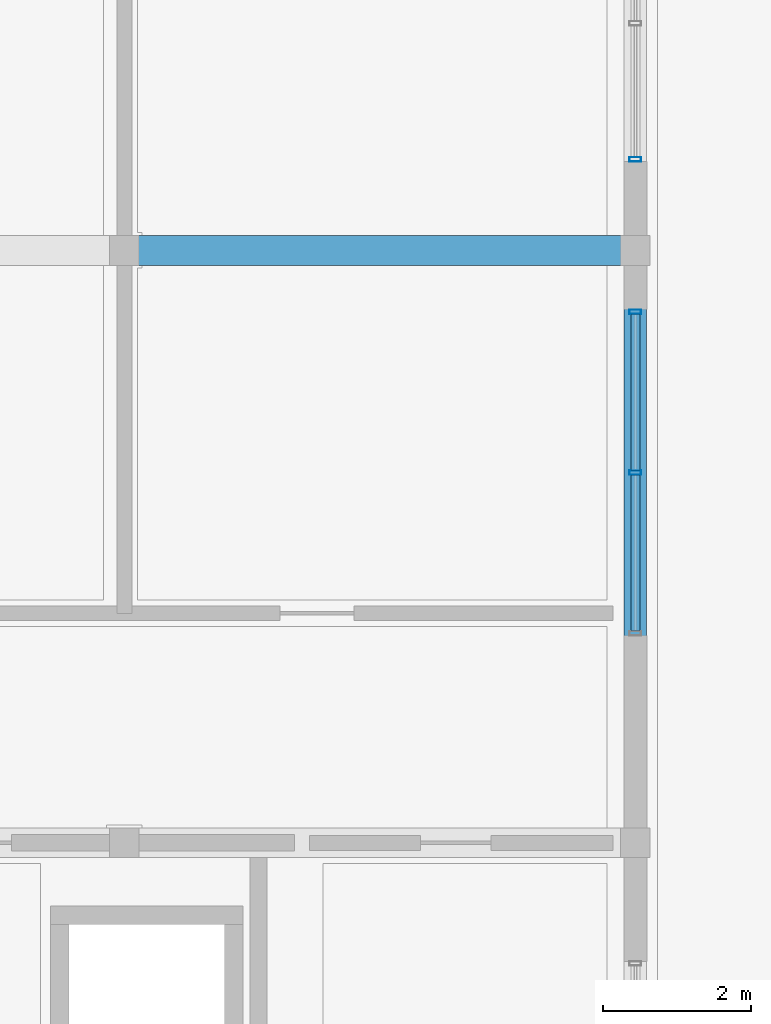
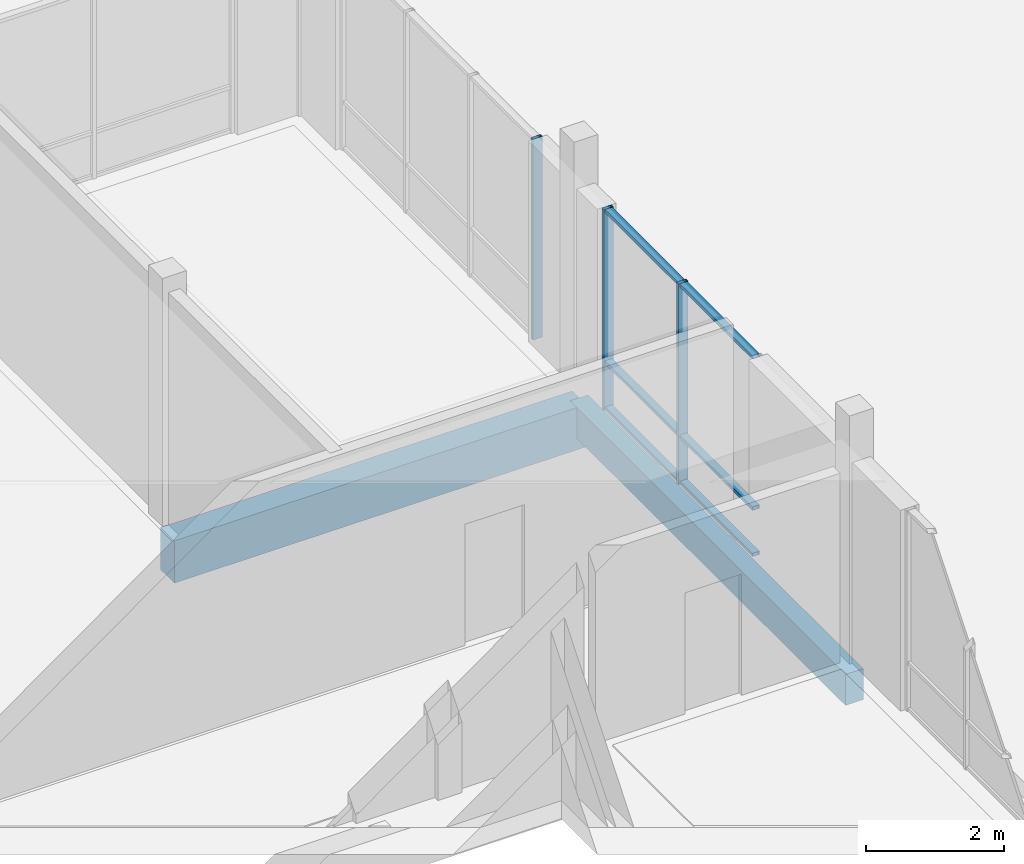
# One storey, part 51 of 233: 9 members, 2 beams, 2 elements without a shape of their own.
"""IFC4 building model written with IfcOpenShell, lengths in metres."""

from ifc_helpers import new_model, si_unit, direction, frame, origin, origin_2d, place, context, subcontext, project, spatial, rectangle, hollow_rectangle, extrude, material, material_profile, profile_set, type_object, element, aggregate, save


model = new_model("IFC4")

# Units and contexts
model_context = context("Model", 3, precision=1e-05, world=origin(), true_north=direction((0.0, 1.0)))
body_context = subcontext(model_context, "Body", "Model", "MODEL_VIEW")
ifc_project = project(units=[si_unit("LENGTHUNIT", "METRE"), si_unit("AREAUNIT", "SQUARE_METRE"), si_unit("VOLUMEUNIT", "CUBIC_METRE"), si_unit("PLANEANGLEUNIT", "RADIAN"), si_unit("MASSUNIT", "GRAM", prefix="KILO")], contexts=[model_context])

# Site, building, storey
site_placement = place(None, origin())
site = spatial("IfcSite", under=ifc_project, at=site_placement, CompositionType="ELEMENT")
building_placement = place(site_placement, origin())
building = spatial("IfcBuilding", under=site, at=building_placement, Name="Zavelmont Quarter", CompositionType="ELEMENT")
storey_placement = place(building_placement, origin())
storey = spatial("IfcBuildingStorey", under=building, at=storey_placement, Name="L00", CompositionType="ELEMENT", Elevation=0.0)

# Beams
ifc_material_1 = material(Name="Concrete C35/45", Category="concrete")
ifc_material_profile_1 = material_profile(ifc_material_1, rectangle(XDim=0.300048828125, YDim=0.550048828125, at=origin_2d()), Name="RC300X550")
ifc_profile_set_1 = profile_set([ifc_material_profile_1], Name="Concrete C35/45")
beam_type_1 = type_object("IfcBeamType", Name="BM02", PredefinedType="SPANDREL", material=ifc_profile_set_1)
beam_1_placement = place(storey_placement, frame((20.699951171875, 38.0, -0.594970703125), z_axis=(0.0, 1.0, 0.0), x_axis=(-1.0, 0.0, 0.0)))
element("IfcBeam", 1, at=beam_1_placement, inside=storey, type_object=beam_type_1, Name="L00 beam BM02 4/G to 4/H", PredefinedType="SPANDREL", context=body_context, shape_type="SweptSolid", body=[
    extrude(rectangle(XDim=0.300048828125, YDim=0.550048828125, at=origin_2d()), origin(), (0.0, 0.0, 1.0), 8.0),
])
ifc_material_2 = material(Name="Concrete C40/50", Category="concrete")
ifc_material_profile_2 = material_profile(ifc_material_2, rectangle(XDim=0.39990234375, YDim=0.75, at=origin_2d()), Name="RC400X750")
ifc_profile_set_2 = profile_set([ifc_material_profile_2], Name="Concrete C40/50")
beam_type_2 = type_object("IfcBeamType", Name="BM05", PredefinedType="BEAM", material=ifc_profile_set_2)
beam_2_placement = place(storey_placement, frame((13.800048828125, 46.0, -0.695068359375), z_axis=(1.0, 0.0, 0.0), x_axis=(0.0, 1.0, 0.0)))
element("IfcBeam", 2, at=beam_2_placement, inside=storey, type_object=beam_type_2, Name="L00 beam BM05 3/H to 4/H", PredefinedType="BEAM", context=body_context, shape_type="SweptSolid", body=[
    extrude(rectangle(XDim=0.39990234375, YDim=0.75, at=origin_2d()), origin(), (0.0, 0.0, 1.0), 6.89990234375),
])

# Curtain wall, members
ifc_material_3 = material(Name="Thermally broken aluminium and double low-E safety glazing", Category="aluminium")
curtain_wall_type_1 = type_object("IfcCurtainWallType", Name="CW-440X356", PredefinedType="NOTDEFINED", material=ifc_material_3)
curtain_wall_1_placement = place(storey_placement, origin())
curtain_wall_1 = element("IfcCurtainWall", 3, at=curtain_wall_1_placement, inside=storey, type_object=curtain_wall_type_1, Name="L00 unitised curtain wall CW-440X356", PredefinedType="NOTDEFINED")
ifc_material_4 = material(Name="Powder-coated aluminium EN AW-6063-T6", Category="aluminium")
ifc_material_profile_3 = material_profile(ifc_material_4, hollow_rectangle(XDim=0.06005859375, YDim=0.159912109375, WallThickness=0.00390625, at=origin_2d()), Name="CWM60X160")
ifc_profile_set_3 = profile_set([ifc_material_profile_3], Name="Powder-coated aluminium EN AW-6063-T6")
member_type_1 = type_object("IfcMemberType", Name="CWM01", PredefinedType="MULLION", material=ifc_profile_set_3)
member_1_placement = place(storey_placement, frame((20.699951171875, 43.0, 0.0), z_axis=(0.0, 0.0, 1.0), x_axis=(0.0, 1.0, 0.0)))
member_1 = element("IfcMember", 4, at=member_1_placement, type_object=member_type_1, Name="CW-440X356 mullion 2", PredefinedType="MULLION", context=body_context, shape_type="SweptSolid", body=[
    extrude(hollow_rectangle(XDim=0.06005859375, YDim=0.159912109375, WallThickness=0.00390625, at=origin_2d()), origin(), (0.0, 0.0, 1.0), 3.56005859375),
])
member_2_placement = place(storey_placement, frame((20.699951171875, 45.169921875, 0.0), z_axis=(0.0, 0.0, 1.0), x_axis=(0.0, 1.0, 0.0)))
member_2 = element("IfcMember", 5, at=member_2_placement, type_object=member_type_1, Name="CW-440X356 mullion 3", PredefinedType="MULLION", context=body_context, shape_type="SweptSolid", body=[
    extrude(hollow_rectangle(XDim=0.06005859375, YDim=0.159912109375, WallThickness=0.00390625, at=origin_2d()), origin(), (0.0, 0.0, 1.0), 3.56005859375),
])

# Curtain wall, member
curtain_wall_type_2 = type_object("IfcCurtainWallType", Name="CW-560X356", PredefinedType="NOTDEFINED", material=ifc_material_3)
curtain_wall_2_placement = place(storey_placement, origin())
curtain_wall_2 = element("IfcCurtainWall", 6, at=curtain_wall_2_placement, inside=storey, type_object=curtain_wall_type_2, Name="L00 unitised curtain wall CW-560X356", PredefinedType="NOTDEFINED")
member_3_placement = place(storey_placement, frame((20.699951171875, 47.22998046875, 0.0), z_axis=(0.0, 0.0, 1.0), x_axis=(0.0, 1.0, 0.0)))
member_3 = element("IfcMember", 7, at=member_3_placement, type_object=member_type_1, Name="CW-560X356 mullion 1", PredefinedType="MULLION", context=body_context, shape_type="SweptSolid", body=[
    extrude(hollow_rectangle(XDim=0.06005859375, YDim=0.159912109375, WallThickness=0.00390625, at=origin_2d()), origin(), (0.0, 0.0, 1.0), 3.56005859375),
])
aggregate(curtain_wall_2, [member_3])

# Member
ifc_material_profile_4 = material_profile(ifc_material_4, hollow_rectangle(XDim=0.1201171875, YDim=0.06005859375, WallThickness=0.00390625, at=origin_2d()), Name="CWT60X120")
ifc_profile_set_4 = profile_set([ifc_material_profile_4], Name="Powder-coated aluminium EN AW-6063-T6")
member_type_2 = type_object("IfcMemberType", Name="CWT01", PredefinedType="NOTDEFINED", material=ifc_profile_set_4)
member_4_placement = place(storey_placement, frame((20.699951171875, 40.860107421875, 0.030029296875), z_axis=(0.0, 1.0, 0.0), x_axis=(-1.0, 0.0, 0.0)))
member_4 = element("IfcMember", 8, at=member_4_placement, type_object=member_type_2, Name="CW-440X356 transom 1.1", ObjectType="TRANSOM", PredefinedType="USERDEFINED", context=body_context, shape_type="SweptSolid", body=[
    extrude(hollow_rectangle(XDim=0.1201171875, YDim=0.06005859375, WallThickness=0.00390625, at=origin_2d()), origin(), (0.0, 0.0, 1.0), 2.10986328125),
])

member_5_placement = place(storey_placement, frame((20.699951171875, 40.860107421875, 0.85009765625), z_axis=(0.0, 1.0, 0.0), x_axis=(-1.0, 0.0, 0.0)))
member_5 = element("IfcMember", 9, at=member_5_placement, type_object=member_type_2, Name="CW-440X356 transom 1.2", ObjectType="TRANSOM", PredefinedType="USERDEFINED", context=body_context, shape_type="SweptSolid", body=[
    extrude(hollow_rectangle(XDim=0.1201171875, YDim=0.06005859375, WallThickness=0.00390625, at=origin_2d()), origin(), (0.0, 0.0, 1.0), 2.10986328125),
])

member_6_placement = place(storey_placement, frame((20.699951171875, 40.860107421875, 3.530029296875), z_axis=(0.0, 1.0, 0.0), x_axis=(-1.0, 0.0, 0.0)))
member_6 = element("IfcMember", 10, at=member_6_placement, type_object=member_type_2, Name="CW-440X356 transom 1.3", ObjectType="TRANSOM", PredefinedType="USERDEFINED", context=body_context, shape_type="SweptSolid", body=[
    extrude(hollow_rectangle(XDim=0.1201171875, YDim=0.06005859375, WallThickness=0.00390625, at=origin_2d()), origin(), (0.0, 0.0, 1.0), 2.10986328125),
])

member_7_placement = place(storey_placement, frame((20.699951171875, 43.030029296875, 0.030029296875), z_axis=(0.0, 1.0, 0.0), x_axis=(-1.0, 0.0, 0.0)))
member_7 = element("IfcMember", 11, at=member_7_placement, type_object=member_type_2, Name="CW-440X356 transom 2.1", ObjectType="TRANSOM", PredefinedType="USERDEFINED", context=body_context, shape_type="SweptSolid", body=[
    extrude(hollow_rectangle(XDim=0.1201171875, YDim=0.06005859375, WallThickness=0.00390625, at=origin_2d()), origin(), (0.0, 0.0, 1.0), 2.10986328125),
])

member_8_placement = place(storey_placement, frame((20.699951171875, 43.030029296875, 0.85009765625), z_axis=(0.0, 1.0, 0.0), x_axis=(-1.0, 0.0, 0.0)))
member_8 = element("IfcMember", 12, at=member_8_placement, type_object=member_type_2, Name="CW-440X356 transom 2.2", ObjectType="TRANSOM", PredefinedType="USERDEFINED", context=body_context, shape_type="SweptSolid", body=[
    extrude(hollow_rectangle(XDim=0.1201171875, YDim=0.06005859375, WallThickness=0.00390625, at=origin_2d()), origin(), (0.0, 0.0, 1.0), 2.10986328125),
])

member_9_placement = place(storey_placement, frame((20.699951171875, 43.030029296875, 3.530029296875), z_axis=(0.0, 1.0, 0.0), x_axis=(-1.0, 0.0, 0.0)))
member_9 = element("IfcMember", 13, at=member_9_placement, type_object=member_type_2, Name="CW-440X356 transom 2.3", ObjectType="TRANSOM", PredefinedType="USERDEFINED", context=body_context, shape_type="SweptSolid", body=[
    extrude(hollow_rectangle(XDim=0.1201171875, YDim=0.06005859375, WallThickness=0.00390625, at=origin_2d()), origin(), (0.0, 0.0, 1.0), 2.10986328125),
])

aggregate(curtain_wall_1, [member_1, member_2, member_4, member_5, member_6, member_7, member_8, member_9])

save(model, "model.ifc")
